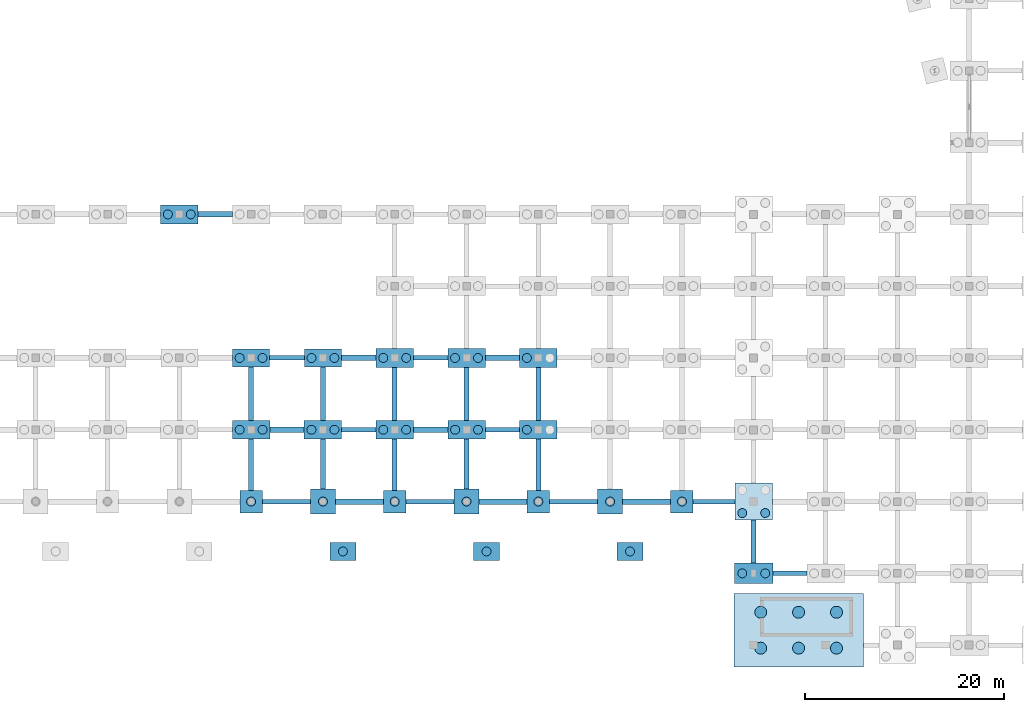
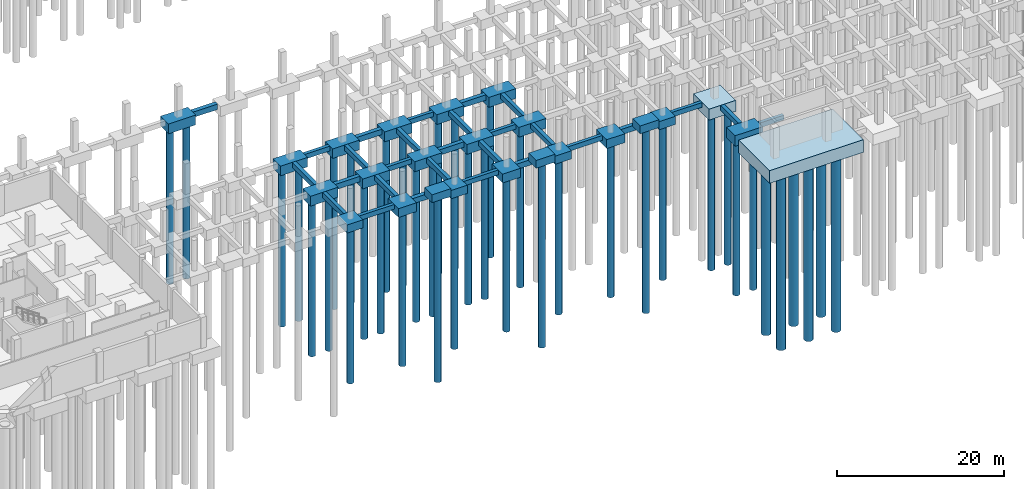
# One storey, part 4 of 36: 52 footings, 40 piles.
"""IFC4 building model written with IfcOpenShell, lengths in metres."""

from ifc_helpers import new_model, si_unit, direction, frame, origin, origin_2d, place, context, subcontext, project, spatial, rectangle, circle, extrude, material, material_profile, profile_set, type_object, element, save


model = new_model("IFC4")

# Units and contexts
model_context = context("Model", 3, precision=1e-05, world=origin(), true_north=direction((0.0, 1.0)))
body_context = subcontext(model_context, "Body", "Model", "MODEL_VIEW")
ifc_project = project(units=[si_unit("LENGTHUNIT", "METRE"), si_unit("AREAUNIT", "SQUARE_METRE"), si_unit("VOLUMEUNIT", "CUBIC_METRE"), si_unit("PLANEANGLEUNIT", "RADIAN"), si_unit("MASSUNIT", "GRAM", prefix="KILO")], contexts=[model_context])

# Site, building, storey
site_placement = place(None, origin())
site = spatial("IfcSite", under=ifc_project, at=site_placement, CompositionType="ELEMENT")
building_placement = place(site_placement, origin())
building = spatial("IfcBuilding", under=site, at=building_placement, Name="Kalmorath City Hall", CompositionType="ELEMENT")
storey_placement = place(building_placement, frame((0.0, 0.0, -4.5)))
storey = spatial("IfcBuildingStorey", under=building, at=storey_placement, Name="B1", CompositionType="ELEMENT", Elevation=-4.5)

# Piles
ifc_material_1 = material(Name="Concrete C40/50", Category="concrete")
ifc_material_profile_1 = material_profile(ifc_material_1, circle(Radius=0.60009765625, at=origin_2d()), Name="PILE-D1200")
ifc_profile_set_1 = profile_set([ifc_material_profile_1], Name="Concrete C40/50")
pile_type_1 = type_object("IfcPileType", Name="Bored concrete pile D1200", PredefinedType="BORED", material=ifc_profile_set_1)
for number, where, z_axis, x_axis, name in (
    (1, (115.89990234375, -0.300048828125, -1.75), (0.0, 0.0, -1.0), (1.0, 0.0, 0.0), "Core mat bored pile PL-1200 FTG-CMAT-C5.1"),
    (2, (119.699951171875, -0.300048828125, -1.75), (0.0, 0.0, -1.0), (1.0, 0.0, 0.0), "Core mat bored pile PL-1200 FTG-CMAT-C5.2"),
    (3, (123.5, -0.300048828125, -1.75), (0.0, 0.0, -1.0), (1.0, 0.0, 0.0), "Core mat bored pile PL-1200 FTG-CMAT-C5.3"),
    (4, (115.89990234375, 3.300048828125, -1.75), (0.0, 0.0, -1.0), (1.0, 0.0, 0.0), "Core mat bored pile PL-1200 FTG-CMAT-C5.4"),
    (5, (119.699951171875, 3.300048828125, -1.75), (0.0, 0.0, -1.0), (1.0, 0.0, 0.0), "Core mat bored pile PL-1200 FTG-CMAT-C5.5"),
    (6, (123.5, 3.300048828125, -1.75), (0.0, 0.0, -1.0), (1.0, 0.0, 0.0), "Core mat bored pile PL-1200 FTG-CMAT-C5.6"),
):
    element("IfcPile", number, at=place(storey_placement, frame(where, z_axis=z_axis, x_axis=x_axis)), inside=storey, type_object=pile_type_1, Name=name, PredefinedType="BORED", context=body_context, shape_type="SweptSolid", body=[
        extrude(circle(Radius=0.60009765625, at=origin_2d()), origin(), (0.0, 0.0, 1.0), 26.25),
    ])
ifc_material_2 = material(Name="Concrete C40/50", Category="concrete")
ifc_material_profile_2 = material_profile(ifc_material_2, circle(Radius=0.449951171875, at=origin_2d()), Name="PILE-D900")
ifc_profile_set_2 = profile_set([ifc_material_profile_2], Name="Concrete C40/50")
pile_type_2 = type_object("IfcPileType", Name="Bored concrete pile D900", PredefinedType="BORED", material=ifc_profile_set_2)
for number, where, z_axis, x_axis, name in (
    (7, (56.449951171875, 43.199951171875, -1.35009765625), (0.0, 0.0, -1.0), (1.0, 0.0, 0.0), "Bored pile PL-900 9.7.1"),
    (8, (58.75, 43.199951171875, -1.35009765625), (0.0, 0.0, -1.0), (1.0, 0.0, 0.0), "Bored pile PL-900 9.7.2"),
):
    element("IfcPile", number, at=place(storey_placement, frame(where, z_axis=z_axis, x_axis=x_axis)), inside=storey, type_object=pile_type_2, Name=name, PredefinedType="BORED", context=body_context, shape_type="SweptSolid", body=[
        extrude(circle(Radius=0.449951171875, at=origin_2d()), origin(), (0.0, 0.0, 1.0), 22.64990234375),
    ])
pile_1_placement = place(storey_placement, frame((64.800048828125, 14.39990234375, -1.10009765625), z_axis=(0.0, 0.0, -1.0), x_axis=(1.0, 0.0, 0.0)))
element("IfcPile", 9, at=pile_1_placement, inside=storey, type_object=pile_type_2, Name="Bored pile PL-900 10.3.1", PredefinedType="BORED", context=body_context, shape_type="SweptSolid", body=[
    extrude(circle(Radius=0.449951171875, at=origin_2d()), origin(), (0.0, 0.0, 1.0), 22.89990234375),
])
for number, where, z_axis, x_axis, name in (
    (10, (63.64990234375, 21.60009765625, -1.35009765625), (0.0, 0.0, -1.0), (1.0, 0.0, 0.0), "Bored pile PL-900 10.4.1"),
    (11, (65.949951171875, 21.60009765625, -1.35009765625), (0.0, 0.0, -1.0), (1.0, 0.0, 0.0), "Bored pile PL-900 10.4.2"),
):
    element("IfcPile", number, at=place(storey_placement, frame(where, z_axis=z_axis, x_axis=x_axis)), inside=storey, type_object=pile_type_2, Name=name, PredefinedType="BORED", context=body_context, shape_type="SweptSolid", body=[
        extrude(circle(Radius=0.449951171875, at=origin_2d()), origin(), (0.0, 0.0, 1.0), 22.64990234375),
    ])
for number, where, z_axis, x_axis, name in (
    (12, (63.64990234375, 28.800048828125, -1.300048828125), (0.0, 0.0, -1.0), (1.0, 0.0, 0.0), "Bored pile PL-900 10.5.1"),
    (13, (65.949951171875, 28.800048828125, -1.300048828125), (0.0, 0.0, -1.0), (1.0, 0.0, 0.0), "Bored pile PL-900 10.5.2"),
):
    element("IfcPile", number, at=place(storey_placement, frame(where, z_axis=z_axis, x_axis=x_axis)), inside=storey, type_object=pile_type_2, Name=name, PredefinedType="BORED", context=body_context, shape_type="SweptSolid", body=[
        extrude(circle(Radius=0.449951171875, at=origin_2d()), origin(), (0.0, 0.0, 1.0), 22.699951171875),
    ])
pile_2_placement = place(storey_placement, frame((72.0, 14.39990234375, -1.199951171875), z_axis=(0.0, 0.0, -1.0), x_axis=(1.0, 0.0, 0.0)))
element("IfcPile", 14, at=pile_2_placement, inside=storey, type_object=pile_type_2, Name="Bored pile PL-900 11.3.1", PredefinedType="BORED", context=body_context, shape_type="SweptSolid", body=[
    extrude(circle(Radius=0.449951171875, at=origin_2d()), origin(), (0.0, 0.0, 1.0), 22.800048828125),
])
for number, where, z_axis, x_axis, name in (
    (15, (70.85009765625, 21.60009765625, -1.35009765625), (0.0, 0.0, -1.0), (1.0, 0.0, 0.0), "Bored pile PL-900 11.4.1"),
    (16, (73.14990234375, 21.60009765625, -1.35009765625), (0.0, 0.0, -1.0), (1.0, 0.0, 0.0), "Bored pile PL-900 11.4.2"),
):
    element("IfcPile", number, at=place(storey_placement, frame(where, z_axis=z_axis, x_axis=x_axis)), inside=storey, type_object=pile_type_2, Name=name, PredefinedType="BORED", context=body_context, shape_type="SweptSolid", body=[
        extrude(circle(Radius=0.449951171875, at=origin_2d()), origin(), (0.0, 0.0, 1.0), 22.64990234375),
    ])
for number, where, z_axis, x_axis, name in (
    (17, (70.85009765625, 28.800048828125, -1.300048828125), (0.0, 0.0, -1.0), (1.0, 0.0, 0.0), "Bored pile PL-900 11.5.1"),
    (18, (73.14990234375, 28.800048828125, -1.300048828125), (0.0, 0.0, -1.0), (1.0, 0.0, 0.0), "Bored pile PL-900 11.5.2"),
):
    element("IfcPile", number, at=place(storey_placement, frame(where, z_axis=z_axis, x_axis=x_axis)), inside=storey, type_object=pile_type_2, Name=name, PredefinedType="BORED", context=body_context, shape_type="SweptSolid", body=[
        extrude(circle(Radius=0.449951171875, at=origin_2d()), origin(), (0.0, 0.0, 1.0), 22.699951171875),
    ])
pile_3_placement = place(storey_placement, frame((79.199951171875, 14.39990234375, -1.10009765625), z_axis=(0.0, 0.0, -1.0), x_axis=(1.0, 0.0, 0.0)))
element("IfcPile", 19, at=pile_3_placement, inside=storey, type_object=pile_type_2, Name="Bored pile PL-900 12.3.1", PredefinedType="BORED", context=body_context, shape_type="SweptSolid", body=[
    extrude(circle(Radius=0.449951171875, at=origin_2d()), origin(), (0.0, 0.0, 1.0), 22.89990234375),
])
for number, where, z_axis, x_axis, name in (
    (20, (78.050048828125, 21.60009765625, -1.35009765625), (0.0, 0.0, -1.0), (1.0, 0.0, 0.0), "Bored pile PL-900 12.4.1"),
    (21, (80.35009765625, 21.60009765625, -1.35009765625), (0.0, 0.0, -1.0), (1.0, 0.0, 0.0), "Bored pile PL-900 12.4.2"),
    (22, (78.050048828125, 28.800048828125, -1.35009765625), (0.0, 0.0, -1.0), (1.0, 0.0, 0.0), "Bored pile PL-900 12.5.1"),
    (23, (80.35009765625, 28.800048828125, -1.35009765625), (0.0, 0.0, -1.0), (1.0, 0.0, 0.0), "Bored pile PL-900 12.5.2"),
):
    element("IfcPile", number, at=place(storey_placement, frame(where, z_axis=z_axis, x_axis=x_axis)), inside=storey, type_object=pile_type_2, Name=name, PredefinedType="BORED", context=body_context, shape_type="SweptSolid", body=[
        extrude(circle(Radius=0.449951171875, at=origin_2d()), origin(), (0.0, 0.0, 1.0), 22.64990234375),
    ])
pile_4_placement = place(storey_placement, frame((86.39990234375, 14.39990234375, -1.199951171875), z_axis=(0.0, 0.0, -1.0), x_axis=(1.0, 0.0, 0.0)))
element("IfcPile", 24, at=pile_4_placement, inside=storey, type_object=pile_type_2, Name="Bored pile PL-900 13.3.1", PredefinedType="BORED", context=body_context, shape_type="SweptSolid", body=[
    extrude(circle(Radius=0.449951171875, at=origin_2d()), origin(), (0.0, 0.0, 1.0), 22.800048828125),
])
for number, where, z_axis, x_axis, name in (
    (25, (85.25, 21.60009765625, -1.35009765625), (0.0, 0.0, -1.0), (1.0, 0.0, 0.0), "Bored pile PL-900 13.4.1"),
    (26, (87.550048828125, 21.60009765625, -1.35009765625), (0.0, 0.0, -1.0), (1.0, 0.0, 0.0), "Bored pile PL-900 13.4.2"),
    (27, (85.25, 28.800048828125, -1.35009765625), (0.0, 0.0, -1.0), (1.0, 0.0, 0.0), "Bored pile PL-900 13.5.1"),
    (28, (87.550048828125, 28.800048828125, -1.35009765625), (0.0, 0.0, -1.0), (1.0, 0.0, 0.0), "Bored pile PL-900 13.5.2"),
):
    element("IfcPile", number, at=place(storey_placement, frame(where, z_axis=z_axis, x_axis=x_axis)), inside=storey, type_object=pile_type_2, Name=name, PredefinedType="BORED", context=body_context, shape_type="SweptSolid", body=[
        extrude(circle(Radius=0.449951171875, at=origin_2d()), origin(), (0.0, 0.0, 1.0), 22.64990234375),
    ])
pile_5_placement = place(storey_placement, frame((93.60009765625, 14.39990234375, -1.10009765625), z_axis=(0.0, 0.0, -1.0), x_axis=(1.0, 0.0, 0.0)))
element("IfcPile", 29, at=pile_5_placement, inside=storey, type_object=pile_type_2, Name="Bored pile PL-900 14.3.1", PredefinedType="BORED", context=body_context, shape_type="SweptSolid", body=[
    extrude(circle(Radius=0.449951171875, at=origin_2d()), origin(), (0.0, 0.0, 1.0), 22.89990234375),
])
for number, where, z_axis, x_axis, name in (
    (30, (92.449951171875, 21.60009765625, -1.35009765625), (0.0, 0.0, -1.0), (1.0, 0.0, 0.0), "Bored pile PL-900 14.4.1"),
    (31, (92.449951171875, 28.800048828125, -1.35009765625), (0.0, 0.0, -1.0), (1.0, 0.0, 0.0), "Bored pile PL-900 14.5.1"),
):
    element("IfcPile", number, at=place(storey_placement, frame(where, z_axis=z_axis, x_axis=x_axis)), inside=storey, type_object=pile_type_2, Name=name, PredefinedType="BORED", context=body_context, shape_type="SweptSolid", body=[
        extrude(circle(Radius=0.449951171875, at=origin_2d()), origin(), (0.0, 0.0, 1.0), 22.64990234375),
    ])
pile_6_placement = place(storey_placement, frame((100.800048828125, 14.39990234375, -1.199951171875), z_axis=(0.0, 0.0, -1.0), x_axis=(1.0, 0.0, 0.0)))
element("IfcPile", 32, at=pile_6_placement, inside=storey, type_object=pile_type_2, Name="Bored pile PL-900 15.3.1", PredefinedType="BORED", context=body_context, shape_type="SweptSolid", body=[
    extrude(circle(Radius=0.449951171875, at=origin_2d()), origin(), (0.0, 0.0, 1.0), 22.800048828125),
])
pile_7_placement = place(storey_placement, frame((108.0, 14.39990234375, -1.10009765625), z_axis=(0.0, 0.0, -1.0), x_axis=(1.0, 0.0, 0.0)))
element("IfcPile", 33, at=pile_7_placement, inside=storey, type_object=pile_type_2, Name="Bored pile PL-900 16.3.1", PredefinedType="BORED", context=body_context, shape_type="SweptSolid", body=[
    extrude(circle(Radius=0.449951171875, at=origin_2d()), origin(), (0.0, 0.0, 1.0), 22.89990234375),
])
for number, where, z_axis, x_axis, name in (
    (34, (114.050048828125, 7.199951171875, -1.449951171875), (0.0, 0.0, -1.0), (1.0, 0.0, 0.0), "Bored pile PL-900 17.2.1"),
    (35, (116.35009765625, 7.199951171875, -1.449951171875), (0.0, 0.0, -1.0), (1.0, 0.0, 0.0), "Bored pile PL-900 17.2.2"),
):
    element("IfcPile", number, at=place(storey_placement, frame(where, z_axis=z_axis, x_axis=x_axis)), inside=storey, type_object=pile_type_2, Name=name, PredefinedType="BORED", context=body_context, shape_type="SweptSolid", body=[
        extrude(circle(Radius=0.449951171875, at=origin_2d()), origin(), (0.0, 0.0, 1.0), 22.550048828125),
    ])
for number, where, z_axis, x_axis, name in (
    (36, (114.050048828125, 13.25, -1.5), (0.0, 0.0, -1.0), (1.0, 0.0, 0.0), "Bored pile PL-900 17.3.1"),
    (37, (116.35009765625, 13.25, -1.5), (0.0, 0.0, -1.0), (1.0, 0.0, 0.0), "Bored pile PL-900 17.3.2"),
):
    element("IfcPile", number, at=place(storey_placement, frame(where, z_axis=z_axis, x_axis=x_axis)), inside=storey, type_object=pile_type_2, Name=name, PredefinedType="BORED", context=body_context, shape_type="SweptSolid", body=[
        extrude(circle(Radius=0.449951171875, at=origin_2d()), origin(), (0.0, 0.0, 1.0), 22.5),
    ])
for number, where, z_axis, x_axis, name in (
    (38, (74.0, 9.39990234375, 3.10009765625), (0.0, 0.0, -1.0), (1.0, 0.0, 0.0), "Entrance ramp bored pile PL-900-3"),
    (39, (88.39990234375, 9.39990234375, 3.10009765625), (0.0, 0.0, -1.0), (1.0, 0.0, 0.0), "Entrance ramp bored pile PL-900-4"),
    (40, (102.800048828125, 9.39990234375, 3.10009765625), (0.0, 0.0, -1.0), (1.0, 0.0, 0.0), "Entrance ramp bored pile PL-900-5"),
):
    element("IfcPile", number, at=place(storey_placement, frame(where, z_axis=z_axis, x_axis=x_axis)), inside=storey, type_object=pile_type_2, Name=name, PredefinedType="BORED", context=body_context, shape_type="SweptSolid", body=[
        extrude(circle(Radius=0.449951171875, at=origin_2d()), origin(), (0.0, 0.0, 1.0), 27.10009765625),
    ])

# Footings
ifc_material_3 = material(Name="Concrete C40/50", Category="concrete")
ifc_material_profile_3 = material_profile(ifc_material_3, rectangle(XDim=0.449951171875, YDim=0.699951171875, at=origin_2d()), Name="RC-BM-450X700")
ifc_profile_set_3 = profile_set([ifc_material_profile_3], Name="Concrete C40/50")
footing_type_1 = type_object("IfcFootingType", Name="Concrete ground tie beam 450x700", PredefinedType="FOOTING_BEAM", material=ifc_profile_set_3)
footing_1_placement = place(storey_placement, frame((65.925048828125, 14.39990234375, -0.35009765625), z_axis=(1.0, 0.0, 0.0), x_axis=(0.0, 1.0, 0.0)))
element("IfcFooting", 41, at=footing_1_placement, inside=storey, type_object=footing_type_1, Name="Ground tie beam GB4 X10-3", PredefinedType="FOOTING_BEAM", context=body_context, shape_type="SweptSolid", body=[
    extrude(rectangle(XDim=0.449951171875, YDim=0.699951171875, at=origin_2d()), origin(), (0.0, 0.0, 1.0), 4.824951171875),
])
footing_2_placement = place(storey_placement, frame((66.659912109375, 28.800048828125, -0.35009765625), z_axis=(1.0, 0.0, 0.0), x_axis=(0.0, 1.0, 0.0)))
element("IfcFooting", 42, at=footing_2_placement, inside=storey, type_object=footing_type_1, Name="Ground tie beam GB4 X10-5", PredefinedType="FOOTING_BEAM", context=body_context, shape_type="SweptSolid", body=[
    extrude(rectangle(XDim=0.449951171875, YDim=0.699951171875, at=origin_2d()), origin(), (0.0, 0.0, 1.0), 3.47998046875),
])
footing_3_placement = place(storey_placement, frame((73.8798828125, 21.60009765625, -0.35009765625), z_axis=(1.0, 0.0, 0.0), x_axis=(0.0, 1.0, 0.0)))
element("IfcFooting", 43, at=footing_3_placement, inside=storey, type_object=footing_type_1, Name="Ground tie beam GB4 X11-4", PredefinedType="FOOTING_BEAM", context=body_context, shape_type="SweptSolid", body=[
    extrude(rectangle(XDim=0.449951171875, YDim=0.699951171875, at=origin_2d()), origin(), (0.0, 0.0, 1.0), 3.440185546875),
])
footing_4_placement = place(storey_placement, frame((80.324951171875, 14.39990234375, -0.35009765625), z_axis=(1.0, 0.0, 0.0), x_axis=(0.0, 1.0, 0.0)))
element("IfcFooting", 44, at=footing_4_placement, inside=storey, type_object=footing_type_1, Name="Ground tie beam GB4 X12-3", PredefinedType="FOOTING_BEAM", context=body_context, shape_type="SweptSolid", body=[
    extrude(rectangle(XDim=0.449951171875, YDim=0.699951171875, at=origin_2d()), origin(), (0.0, 0.0, 1.0), 4.824951171875),
])
for number, where, z_axis, x_axis, name in (
    (45, (81.080078125, 28.800048828125, -0.35009765625), (1.0, 0.0, 0.0), (0.0, 1.0, 0.0), "Ground tie beam GB4 X12-5"),
    (46, (88.280029296875, 21.60009765625, -0.35009765625), (1.0, 0.0, 0.0), (0.0, 1.0, 0.0), "Ground tie beam GB4 X13-4"),
):
    element("IfcFooting", number, at=place(storey_placement, frame(where, z_axis=z_axis, x_axis=x_axis)), inside=storey, type_object=footing_type_1, Name=name, PredefinedType="FOOTING_BEAM", context=body_context, shape_type="SweptSolid", body=[
        extrude(rectangle(XDim=0.449951171875, YDim=0.699951171875, at=origin_2d()), origin(), (0.0, 0.0, 1.0), 3.43994140625),
    ])
footing_5_placement = place(storey_placement, frame((94.72509765625, 14.39990234375, -0.35009765625), z_axis=(1.0, 0.0, 0.0), x_axis=(0.0, 1.0, 0.0)))
element("IfcFooting", 47, at=footing_5_placement, inside=storey, type_object=footing_type_1, Name="Ground tie beam GB4 X14-3", PredefinedType="FOOTING_BEAM", context=body_context, shape_type="SweptSolid", body=[
    extrude(rectangle(XDim=0.449951171875, YDim=0.699951171875, at=origin_2d()), origin(), (0.0, 0.0, 1.0), 4.824951171875),
])
footing_6_placement = place(storey_placement, frame((109.125, 14.39990234375, -0.35009765625), z_axis=(1.0, 0.0, 0.0), x_axis=(0.0, 1.0, 0.0)))
element("IfcFooting", 48, at=footing_6_placement, inside=storey, type_object=footing_type_1, Name="Ground tie beam GB4 X16-3", PredefinedType="FOOTING_BEAM", context=body_context, shape_type="SweptSolid", body=[
    extrude(rectangle(XDim=0.449951171875, YDim=0.699951171875, at=origin_2d()), origin(), (0.0, 0.0, 1.0), 4.215087890625),
])
footing_7_placement = place(storey_placement, frame((117.125, 7.199951171875, -0.35009765625), z_axis=(1.0, 0.0, 0.0), x_axis=(0.0, 1.0, 0.0)))
element("IfcFooting", 49, at=footing_7_placement, inside=storey, type_object=footing_type_1, Name="Ground tie beam GB4 X17-2", PredefinedType="FOOTING_BEAM", context=body_context, shape_type="SweptSolid", body=[
    extrude(rectangle(XDim=0.449951171875, YDim=0.699951171875, at=origin_2d()), origin(), (0.0, 0.0, 1.0), 3.39501953125),
])
ifc_material_4 = material(Name="Concrete C40/50", Category="concrete")
ifc_material_profile_4 = material_profile(ifc_material_4, rectangle(XDim=0.5, YDim=0.75, at=origin_2d()), Name="RC-BM-500X750")
ifc_profile_set_4 = profile_set([ifc_material_profile_4], Name="Concrete C40/50")
footing_type_2 = type_object("IfcFootingType", Name="Concrete ground tie beam 500x750", PredefinedType="FOOTING_BEAM", material=ifc_profile_set_4)
footing_8_placement = place(storey_placement, frame((64.800048828125, 15.52490234375, -0.375), z_axis=(0.0, 1.0, 0.0), x_axis=(-1.0, 0.0, 0.0)))
element("IfcFooting", 50, at=footing_8_placement, inside=storey, type_object=footing_type_2, Name="Ground tie beam GB3 Y10-3", PredefinedType="FOOTING_BEAM", context=body_context, shape_type="SweptSolid", body=[
    extrude(rectangle(XDim=0.5, YDim=0.75, at=origin_2d()), origin(), (0.0, 0.0, 1.0), 5.125),
])
footing_9_placement = place(storey_placement, frame((64.800048828125, 22.550048828125, -0.375), z_axis=(0.0, 1.0, 0.0), x_axis=(-1.0, 0.0, 0.0)))
element("IfcFooting", 51, at=footing_9_placement, inside=storey, type_object=footing_type_2, Name="Ground tie beam GB3 Y10-4", PredefinedType="FOOTING_BEAM", context=body_context, shape_type="SweptSolid", body=[
    extrude(rectangle(XDim=0.5, YDim=0.75, at=origin_2d()), origin(), (0.0, 0.0, 1.0), 5.33984375),
])
footing_10_placement = place(storey_placement, frame((72.0, 15.64990234375, -0.375), z_axis=(0.0, 1.0, 0.0), x_axis=(-1.0, 0.0, 0.0)))
element("IfcFooting", 52, at=footing_10_placement, inside=storey, type_object=footing_type_2, Name="Ground tie beam GB3 Y11-3", PredefinedType="FOOTING_BEAM", context=body_context, shape_type="SweptSolid", body=[
    extrude(rectangle(XDim=0.5, YDim=0.75, at=origin_2d()), origin(), (0.0, 0.0, 1.0), 5.0),
])
footing_11_placement = place(storey_placement, frame((72.0, 22.550048828125, -0.375), z_axis=(0.0, 1.0, 0.0), x_axis=(-1.0, 0.0, 0.0)))
element("IfcFooting", 53, at=footing_11_placement, inside=storey, type_object=footing_type_2, Name="Ground tie beam GB3 Y11-4", PredefinedType="FOOTING_BEAM", context=body_context, shape_type="SweptSolid", body=[
    extrude(rectangle(XDim=0.5, YDim=0.75, at=origin_2d()), origin(), (0.0, 0.0, 1.0), 5.33984375),
])
footing_12_placement = place(storey_placement, frame((79.199951171875, 15.52490234375, -0.375), z_axis=(0.0, 1.0, 0.0), x_axis=(-1.0, 0.0, 0.0)))
element("IfcFooting", 54, at=footing_12_placement, inside=storey, type_object=footing_type_2, Name="Ground tie beam GB3 Y12-3", PredefinedType="FOOTING_BEAM", context=body_context, shape_type="SweptSolid", body=[
    extrude(rectangle(XDim=0.5, YDim=0.75, at=origin_2d()), origin(), (0.0, 0.0, 1.0), 5.125),
])
footing_13_placement = place(storey_placement, frame((79.199951171875, 22.550048828125, -0.375), z_axis=(0.0, 1.0, 0.0), x_axis=(-1.0, 0.0, 0.0)))
element("IfcFooting", 55, at=footing_13_placement, inside=storey, type_object=footing_type_2, Name="Ground tie beam GB3 Y12-4", PredefinedType="FOOTING_BEAM", context=body_context, shape_type="SweptSolid", body=[
    extrude(rectangle(XDim=0.5, YDim=0.75, at=origin_2d()), origin(), (0.0, 0.0, 1.0), 5.300048828125),
])
footing_14_placement = place(storey_placement, frame((86.39990234375, 15.64990234375, -0.375), z_axis=(0.0, 1.0, 0.0), x_axis=(-1.0, 0.0, 0.0)))
element("IfcFooting", 56, at=footing_14_placement, inside=storey, type_object=footing_type_2, Name="Ground tie beam GB3 Y13-3", PredefinedType="FOOTING_BEAM", context=body_context, shape_type="SweptSolid", body=[
    extrude(rectangle(XDim=0.5, YDim=0.75, at=origin_2d()), origin(), (0.0, 0.0, 1.0), 5.0),
])
footing_15_placement = place(storey_placement, frame((86.39990234375, 22.550048828125, -0.375), z_axis=(0.0, 1.0, 0.0), x_axis=(-1.0, 0.0, 0.0)))
element("IfcFooting", 57, at=footing_15_placement, inside=storey, type_object=footing_type_2, Name="Ground tie beam GB3 Y13-4", PredefinedType="FOOTING_BEAM", context=body_context, shape_type="SweptSolid", body=[
    extrude(rectangle(XDim=0.5, YDim=0.75, at=origin_2d()), origin(), (0.0, 0.0, 1.0), 5.300048828125),
])
footing_16_placement = place(storey_placement, frame((93.60009765625, 15.52490234375, -0.375), z_axis=(0.0, 1.0, 0.0), x_axis=(-1.0, 0.0, 0.0)))
element("IfcFooting", 58, at=footing_16_placement, inside=storey, type_object=footing_type_2, Name="Ground tie beam GB3 Y14-3", PredefinedType="FOOTING_BEAM", context=body_context, shape_type="SweptSolid", body=[
    extrude(rectangle(XDim=0.5, YDim=0.75, at=origin_2d()), origin(), (0.0, 0.0, 1.0), 5.125),
])
footing_17_placement = place(storey_placement, frame((93.60009765625, 22.550048828125, -0.375), z_axis=(0.0, 1.0, 0.0), x_axis=(-1.0, 0.0, 0.0)))
element("IfcFooting", 59, at=footing_17_placement, inside=storey, type_object=footing_type_2, Name="Ground tie beam GB3 Y14-4", PredefinedType="FOOTING_BEAM", context=body_context, shape_type="SweptSolid", body=[
    extrude(rectangle(XDim=0.5, YDim=0.75, at=origin_2d()), origin(), (0.0, 0.0, 1.0), 5.300048828125),
])
footing_18_placement = place(storey_placement, frame((115.199951171875, 8.22509765625, -0.375), z_axis=(0.0, 1.0, 0.0), x_axis=(-1.0, 0.0, 0.0)))
element("IfcFooting", 60, at=footing_18_placement, inside=storey, type_object=footing_type_2, Name="Ground tie beam GB3 Y17-2", PredefinedType="FOOTING_BEAM", context=body_context, shape_type="SweptSolid", body=[
    extrude(rectangle(XDim=0.5, YDim=0.75, at=origin_2d()), origin(), (0.0, 0.0, 1.0), 4.31494140625),
])
ifc_material_5 = material(Name="Concrete C40/50", Category="concrete")
ifc_material_profile_5 = material_profile(ifc_material_5, rectangle(XDim=0.550048828125, YDim=0.800048828125, at=origin_2d()), Name="RC-BM-550X800")
ifc_profile_set_5 = profile_set([ifc_material_profile_5], Name="Concrete C40/50")
footing_type_3 = type_object("IfcFootingType", Name="Concrete ground tie beam 550x800", PredefinedType="FOOTING_BEAM", material=ifc_profile_set_5)
footing_19_placement = place(storey_placement, frame((59.47998046875, 43.199951171875, -0.39990234375), z_axis=(1.0, 0.0, 0.0), x_axis=(0.0, 1.0, 0.0)))
element("IfcFooting", 61, at=footing_19_placement, inside=storey, type_object=footing_type_3, Name="Ground tie beam GB2 X9-7", PredefinedType="FOOTING_BEAM", context=body_context, shape_type="SweptSolid", body=[
    extrude(rectangle(XDim=0.550048828125, YDim=0.800048828125, at=origin_2d()), origin(), (0.0, 0.0, 1.0), 3.43994140625),
])
footing_20_placement = place(storey_placement, frame((66.679931640625, 21.60009765625, -0.39990234375), z_axis=(1.0, 0.0, 0.0), x_axis=(0.0, 1.0, 0.0)))
element("IfcFooting", 62, at=footing_20_placement, inside=storey, type_object=footing_type_3, Name="Ground tie beam GB2 X10-4", PredefinedType="FOOTING_BEAM", context=body_context, shape_type="SweptSolid", body=[
    extrude(rectangle(XDim=0.550048828125, YDim=0.800048828125, at=origin_2d()), origin(), (0.0, 0.0, 1.0), 3.440185546875),
])
footing_21_placement = place(storey_placement, frame((73.25, 14.39990234375, -0.39990234375), z_axis=(1.0, 0.0, 0.0), x_axis=(0.0, 1.0, 0.0)))
element("IfcFooting", 63, at=footing_21_placement, inside=storey, type_object=footing_type_3, Name="Ground tie beam GB2 X11-3", PredefinedType="FOOTING_BEAM", context=body_context, shape_type="SweptSolid", body=[
    extrude(rectangle(XDim=0.550048828125, YDim=0.800048828125, at=origin_2d()), origin(), (0.0, 0.0, 1.0), 4.824951171875),
])
footing_22_placement = place(storey_placement, frame((73.860107421875, 28.800048828125, -0.39990234375), z_axis=(1.0, 0.0, 0.0), x_axis=(0.0, 1.0, 0.0)))
element("IfcFooting", 64, at=footing_22_placement, inside=storey, type_object=footing_type_3, Name="Ground tie beam GB2 X11-5", PredefinedType="FOOTING_BEAM", context=body_context, shape_type="SweptSolid", body=[
    extrude(rectangle(XDim=0.550048828125, YDim=0.800048828125, at=origin_2d()), origin(), (0.0, 0.0, 1.0), 3.4599609375),
])
footing_23_placement = place(storey_placement, frame((81.080078125, 21.60009765625, -0.39990234375), z_axis=(1.0, 0.0, 0.0), x_axis=(0.0, 1.0, 0.0)))
element("IfcFooting", 65, at=footing_23_placement, inside=storey, type_object=footing_type_3, Name="Ground tie beam GB2 X12-4", PredefinedType="FOOTING_BEAM", context=body_context, shape_type="SweptSolid", body=[
    extrude(rectangle(XDim=0.550048828125, YDim=0.800048828125, at=origin_2d()), origin(), (0.0, 0.0, 1.0), 3.43994140625),
])
footing_24_placement = place(storey_placement, frame((87.64990234375, 14.39990234375, -0.39990234375), z_axis=(1.0, 0.0, 0.0), x_axis=(0.0, 1.0, 0.0)))
element("IfcFooting", 66, at=footing_24_placement, inside=storey, type_object=footing_type_3, Name="Ground tie beam GB2 X13-3", PredefinedType="FOOTING_BEAM", context=body_context, shape_type="SweptSolid", body=[
    extrude(rectangle(XDim=0.550048828125, YDim=0.800048828125, at=origin_2d()), origin(), (0.0, 0.0, 1.0), 4.8251953125),
])
footing_25_placement = place(storey_placement, frame((88.280029296875, 28.800048828125, -0.39990234375), z_axis=(1.0, 0.0, 0.0), x_axis=(0.0, 1.0, 0.0)))
element("IfcFooting", 67, at=footing_25_placement, inside=storey, type_object=footing_type_3, Name="Ground tie beam GB2 X13-5", PredefinedType="FOOTING_BEAM", context=body_context, shape_type="SweptSolid", body=[
    extrude(rectangle(XDim=0.550048828125, YDim=0.800048828125, at=origin_2d()), origin(), (0.0, 0.0, 1.0), 3.43994140625),
])
footing_26_placement = place(storey_placement, frame((102.050048828125, 14.39990234375, -0.39990234375), z_axis=(1.0, 0.0, 0.0), x_axis=(0.0, 1.0, 0.0)))
element("IfcFooting", 68, at=footing_26_placement, inside=storey, type_object=footing_type_3, Name="Ground tie beam GB2 X15-3", PredefinedType="FOOTING_BEAM", context=body_context, shape_type="SweptSolid", body=[
    extrude(rectangle(XDim=0.550048828125, YDim=0.800048828125, at=origin_2d()), origin(), (0.0, 0.0, 1.0), 4.824951171875),
])
ifc_material_6 = material(Name="Concrete C40/50", Category="concrete")
footing_type_4 = type_object("IfcFootingType", Name="Four-pile concrete cap 3720x3720x1600", PredefinedType="PILE_CAP", material=ifc_material_6)
footing_27_placement = place(storey_placement, frame((115.199951171875, 14.39990234375, -1.60009765625), z_axis=(0.0, 0.0, 1.0), x_axis=(1.0, 0.0, 0.0)))
element("IfcFooting", 69, at=footing_27_placement, inside=storey, type_object=footing_type_4, Name="Footing PC3 (17/3)", PredefinedType="PILE_CAP", context=body_context, shape_type="SweptSolid", body=[
    extrude(rectangle(XDim=3.719970703125, YDim=3.719970703125, at=origin_2d()), origin(), (0.0, 0.0, 1.0), 1.60009765625),
])
ifc_material_7 = material(Name="Concrete C40/50", Category="concrete")
footing_type_5 = type_object("IfcFootingType", Name="Reinforced concrete combined core pile cap 13000x7400x1850", PredefinedType="PILE_CAP", material=ifc_material_7)
footing_28_placement = place(storey_placement, frame((119.699951171875, 1.5, -1.85009765625), z_axis=(0.0, 0.0, 1.0), x_axis=(1.0, 0.0, 0.0)))
element("IfcFooting", 70, at=footing_28_placement, inside=storey, type_object=footing_type_5, Name="Combined core pile cap FTG-CMAT-C5", PredefinedType="PILE_CAP", context=body_context, shape_type="SweptSolid", body=[
    extrude(rectangle(XDim=13.0, YDim=7.39990234375, at=origin_2d()), origin(), (0.0, 0.0, 1.0), 1.85009765625),
])
ifc_material_8 = material(Name="Concrete C40/50", Category="concrete")
footing_type_6 = type_object("IfcFootingType", Name="Reinforced concrete pad footing 2250x2250x1200", PredefinedType="PAD_FOOTING", material=ifc_material_8)
for number, where, z_axis, x_axis, name in (
    (71, (64.800048828125, 14.39990234375, -1.2001953125), (0.0, 0.0, 1.0), (1.0, 0.0, 0.0), "Footing PF2 (10/3)"),
    (72, (79.199951171875, 14.39990234375, -1.2001953125), (0.0, 0.0, 1.0), (1.0, 0.0, 0.0), "Footing PF2 (12/3)"),
    (73, (93.60009765625, 14.39990234375, -1.2001953125), (0.0, 0.0, 1.0), (1.0, 0.0, 0.0), "Footing PF2 (14/3)"),
    (74, (108.0, 14.39990234375, -1.2001953125), (0.0, 0.0, 1.0), (1.0, 0.0, 0.0), "Footing PF2 (16/3)"),
):
    element("IfcFooting", number, at=place(storey_placement, frame(where, z_axis=z_axis, x_axis=x_axis)), inside=storey, type_object=footing_type_6, Name=name, PredefinedType="PAD_FOOTING", context=body_context, shape_type="SweptSolid", body=[
        extrude(rectangle(XDim=2.25, YDim=2.25, at=origin_2d()), origin(), (0.0, 0.0, 1.0), 1.199951171875),
    ])
ifc_material_9 = material(Name="Concrete C40/50", Category="concrete")
footing_type_7 = type_object("IfcFootingType", Name="Reinforced concrete pad footing 2500x2500x1300", PredefinedType="PAD_FOOTING", material=ifc_material_9)
for number, where, z_axis, x_axis, name in (
    (75, (72.0, 14.39990234375, -1.2998046875), (0.0, 0.0, 1.0), (1.0, 0.0, 0.0), "Footing PF1 (11/3)"),
    (76, (86.39990234375, 14.39990234375, -1.2998046875), (0.0, 0.0, 1.0), (1.0, 0.0, 0.0), "Footing PF1 (13/3)"),
    (77, (100.800048828125, 14.39990234375, -1.2998046875), (0.0, 0.0, 1.0), (1.0, 0.0, 0.0), "Footing PF1 (15/3)"),
):
    element("IfcFooting", number, at=place(storey_placement, frame(where, z_axis=z_axis, x_axis=x_axis)), inside=storey, type_object=footing_type_7, Name=name, PredefinedType="PAD_FOOTING", context=body_context, shape_type="SweptSolid", body=[
        extrude(rectangle(XDim=2.5, YDim=2.5, at=origin_2d()), origin(), (0.0, 0.0, 1.0), 1.300048828125),
    ])
ifc_material_10 = material(Name="Concrete C40/50", Category="concrete")
footing_type_8 = type_object("IfcFootingType", Name="Reinforced concrete ramp pad footing 2600x1800x1150", PredefinedType="PAD_FOOTING", material=ifc_material_10)
for number, where, z_axis, x_axis, name in (
    (78, (74.0, 9.39990234375, 3.0), (0.0, 0.0, 1.0), (1.0, 0.0, 0.0), "Entrance ramp bottom pad footing PF3-3"),
    (79, (88.39990234375, 9.39990234375, 3.0), (0.0, 0.0, 1.0), (1.0, 0.0, 0.0), "Entrance ramp bottom pad footing PF3-4"),
    (80, (102.800048828125, 9.39990234375, 3.0), (0.0, 0.0, 1.0), (1.0, 0.0, 0.0), "Entrance ramp bottom pad footing PF3-5"),
):
    element("IfcFooting", number, at=place(storey_placement, frame(where, z_axis=z_axis, x_axis=x_axis)), inside=storey, type_object=footing_type_8, Name=name, PredefinedType="PAD_FOOTING", context=body_context, shape_type="SweptSolid", body=[
        extrude(rectangle(XDim=2.60009765625, YDim=1.800048828125, at=origin_2d()), origin(), (0.0, 0.0, 1.0), 1.14990234375),
    ])
ifc_material_11 = material(Name="Concrete C40/50", Category="concrete")
footing_type_9 = type_object("IfcFootingType", Name="Two-pile concrete cap 3720x1820x1400", PredefinedType="PILE_CAP", material=ifc_material_11)
for number, where, z_axis, x_axis, name in (
    (81, (64.800048828125, 28.800048828125, -1.39990234375), (0.0, 0.0, 1.0), (1.0, 0.0, 0.0), "Footing PC9 (10/5)"),
    (82, (72.0, 28.800048828125, -1.39990234375), (0.0, 0.0, 1.0), (1.0, 0.0, 0.0), "Footing PC9 (11/5)"),
):
    element("IfcFooting", number, at=place(storey_placement, frame(where, z_axis=z_axis, x_axis=x_axis)), inside=storey, type_object=footing_type_9, Name=name, PredefinedType="PILE_CAP", context=body_context, shape_type="SweptSolid", body=[
        extrude(rectangle(XDim=3.719970703125, YDim=1.820068359375, at=origin_2d()), origin(), (0.0, 0.0, 1.0), 1.39990234375),
    ])
ifc_material_12 = material(Name="Concrete C40/50", Category="concrete")
footing_type_10 = type_object("IfcFootingType", Name="Two-pile concrete cap 3760x1900x1450", PredefinedType="PILE_CAP", material=ifc_material_12)
for number, where, z_axis, x_axis, name in (
    (83, (57.60009765625, 43.199951171875, -1.4501953125), (0.0, 0.0, 1.0), (1.0, 0.0, 0.0), "Footing PC8 (9/7)"),
    (84, (64.800048828125, 21.60009765625, -1.4501953125), (0.0, 0.0, 1.0), (1.0, 0.0, 0.0), "Footing PC8 (10/4)"),
    (85, (72.0, 21.60009765625, -1.4501953125), (0.0, 0.0, 1.0), (1.0, 0.0, 0.0), "Footing PC8 (11/4)"),
    (86, (79.199951171875, 21.60009765625, -1.4501953125), (0.0, 0.0, 1.0), (1.0, 0.0, 0.0), "Footing PC8 (12/4)"),
    (87, (79.199951171875, 28.800048828125, -1.4501953125), (0.0, 0.0, 1.0), (1.0, 0.0, 0.0), "Footing PC8 (12/5)"),
    (88, (86.39990234375, 21.60009765625, -1.4501953125), (0.0, 0.0, 1.0), (1.0, 0.0, 0.0), "Footing PC8 (13/4)"),
    (89, (86.39990234375, 28.800048828125, -1.4501953125), (0.0, 0.0, 1.0), (1.0, 0.0, 0.0), "Footing PC8 (13/5)"),
    (90, (93.60009765625, 21.60009765625, -1.4501953125), (0.0, 0.0, 1.0), (1.0, 0.0, 0.0), "Footing PC8 (14/4)"),
    (91, (93.60009765625, 28.800048828125, -1.4501953125), (0.0, 0.0, 1.0), (1.0, 0.0, 0.0), "Footing PC8 (14/5)"),
):
    element("IfcFooting", number, at=place(storey_placement, frame(where, z_axis=z_axis, x_axis=x_axis)), inside=storey, type_object=footing_type_10, Name=name, PredefinedType="PILE_CAP", context=body_context, shape_type="SweptSolid", body=[
        extrude(rectangle(XDim=3.760009765625, YDim=1.89990234375, at=origin_2d()), origin(), (0.0, 0.0, 1.0), 1.449951171875),
    ])
ifc_material_13 = material(Name="Concrete C40/50", Category="concrete")
footing_type_11 = type_object("IfcFootingType", Name="Two-pile concrete cap 3850x2050x1550", PredefinedType="PILE_CAP", material=ifc_material_13)
footing_29_placement = place(storey_placement, frame((115.199951171875, 7.199951171875, -1.5498046875), z_axis=(0.0, 0.0, 1.0), x_axis=(1.0, 0.0, 0.0)))
element("IfcFooting", 92, at=footing_29_placement, inside=storey, type_object=footing_type_11, Name="Footing PC6 (17/2)", PredefinedType="PILE_CAP", context=body_context, shape_type="SweptSolid", body=[
    extrude(rectangle(XDim=3.85009765625, YDim=2.050048828125, at=origin_2d()), origin(), (0.0, 0.0, 1.0), 1.550048828125),
])

save(model, "model.ifc")
